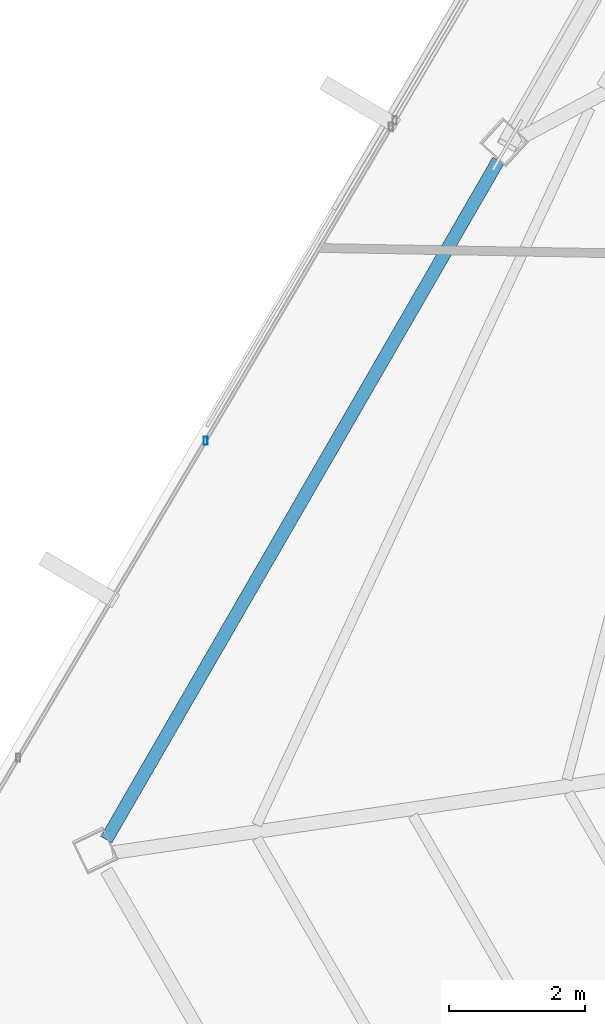
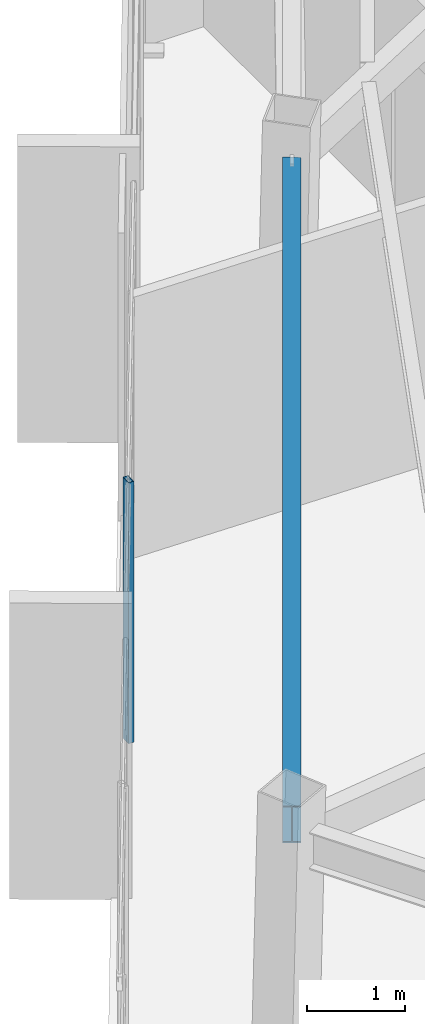
# One storey, part 9 of 44: 1 beam, 1 member, 1 element without a shape of its own.
"""IFC4 building model written with IfcOpenShell, lengths in metres."""

from ifc_helpers import new_model, si_unit, direction, frame, origin, origin_2d, place, context, subcontext, project, spatial, hollow_rectangle, i_section, extrude, source, transform, mapped, material, material_profile, profile_set, type_object, type_shapes, element, aggregate, save


model = new_model("IFC4")

# Units and contexts
model_context = context("Model", 3, precision=1e-05, world=origin(), true_north=direction((0.0, 1.0)))
body_context = subcontext(model_context, "Body", "Model", "MODEL_VIEW")
ifc_project = project(units=[si_unit("LENGTHUNIT", "METRE"), si_unit("AREAUNIT", "SQUARE_METRE"), si_unit("VOLUMEUNIT", "CUBIC_METRE"), si_unit("PLANEANGLEUNIT", "RADIAN"), si_unit("MASSUNIT", "GRAM", prefix="KILO")], contexts=[model_context])

# Site, building, storey
site_placement = place(None, origin())
site = spatial("IfcSite", under=ifc_project, at=site_placement, CompositionType="ELEMENT")
building_placement = place(site_placement, origin())
building = spatial("IfcBuilding", under=site, at=building_placement, Name="Caelisora Broadcast Tower", CompositionType="ELEMENT")
storey_placement = place(building_placement, frame((0.0, 0.0, 280.949951171875)))
storey = spatial("IfcBuildingStorey", under=building, at=storey_placement, Name="L74", CompositionType="ELEMENT", Elevation=280.949951171875)

# Beam
ifc_material_1 = material(Name="Steel Grade 350 (AS/NZS 3679.1)", Category="steel")
ifc_material_profile_1 = material_profile(ifc_material_1, i_section(OverallWidth=0.19091796875, OverallDepth=0.46044921875, WebThickness=0.010009765625, FlangeThickness=0.01611328125, at=origin_2d()), Name="Steel Grade 350 (AS/NZS 3679.1)")
ifc_profile_set_1 = profile_set([ifc_material_profile_1], Name="Steel Grade 350 (AS/NZS 3679.1)")
beam_type = type_object("IfcBeamType", Name="PG06", PredefinedType="BEAM", material=ifc_profile_set_1)
shared_shape_1 = source(origin(), body_context, "Body", "SweptSolid", [
    extrude(i_section(OverallWidth=0.19091796875, OverallDepth=0.46044921875, WebThickness=0.010009765625, FlangeThickness=0.01611328125, at=origin_2d()), origin(), (0.0, 0.0, 1.0), 11.54248046875),
])
type_shapes(beam_type, [shared_shape_1])
beam_placement = place(storey_placement, frame((22.63525390625, 25.6064453125, 3.019775390625), z_axis=(-0.499999533266, -0.866025673253, 0.0), x_axis=(0.866025673253, -0.499999533266, 0.0)))
element("IfcBeam", 1, at=beam_placement, inside=storey, type_object=beam_type, Name="L74 beam PG06", PredefinedType="BEAM", context=body_context, shape_type="MappedRepresentation", body=[
    mapped(shared_shape_1, transform((0.0, 0.0, 0.0), scale=1.0)),
])

# Curtain wall, member
ifc_material_2 = material(Name="Unitised Aluminium and Low-E Glass Curtain Wall", Category="glass")
curtain_wall_type = type_object("IfcCurtainWallType", Name="CW-Z5", PredefinedType="NOTDEFINED", material=ifc_material_2)
curtain_wall_placement = place(storey_placement, origin())
curtain_wall = element("IfcCurtainWall", 2, at=curtain_wall_placement, inside=storey, type_object=curtain_wall_type, Name="L74 curtain wall CW-Z5", PredefinedType="NOTDEFINED")
ifc_material_3 = material(Name="Aluminium 6063-T6 Anodised Terracotta Bronze", Category="aluminium")
ifc_material_profile_2 = material_profile(ifc_material_3, hollow_rectangle(XDim=0.06005859375, YDim=0.1201171875, WallThickness=0.0029296875, at=origin_2d()), Name="Aluminium 6063-T6 Anodised Terracotta Bronze")
ifc_profile_set_2 = profile_set([ifc_material_profile_2], Name="Aluminium 6063-T6 Anodised Terracotta Bronze")
member_type = type_object("IfcMemberType", Name="CWM-04", PredefinedType="MULLION", material=ifc_profile_set_2)
shared_shape_2 = source(origin(), body_context, "Body", "SweptSolid", [
    extrude(hollow_rectangle(XDim=0.06005859375, YDim=0.1201171875, WallThickness=0.0029296875, at=origin_2d()), origin(), (0.0, 0.0, 1.0), 3.25),
])
type_shapes(member_type, [shared_shape_2])
member_placement = place(storey_placement, frame((18.324951171875, 21.479736328125, 0.0), z_axis=(0.0, 0.0, 1.0), x_axis=(1.0, 0.0, 0.0)))
member = element("IfcMember", 3, at=member_placement, type_object=member_type, Name="L74-CW-B09 mullion #2", PredefinedType="MULLION", context=body_context, shape_type="MappedRepresentation", body=[
    mapped(shared_shape_2, transform((0.0, 0.0, 0.0), scale=1.0)),
])
aggregate(curtain_wall, [member])

save(model, "model.ifc")
